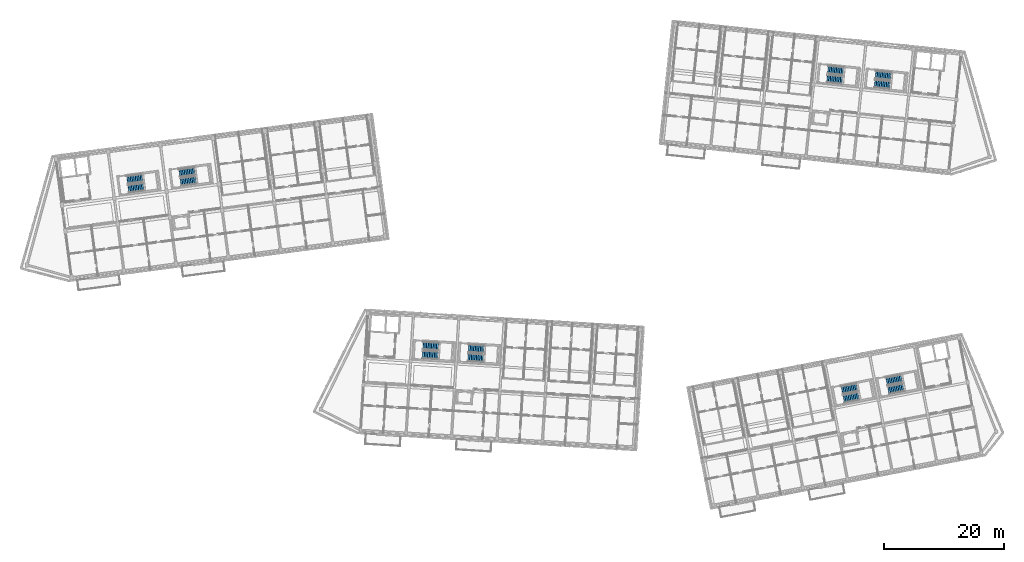
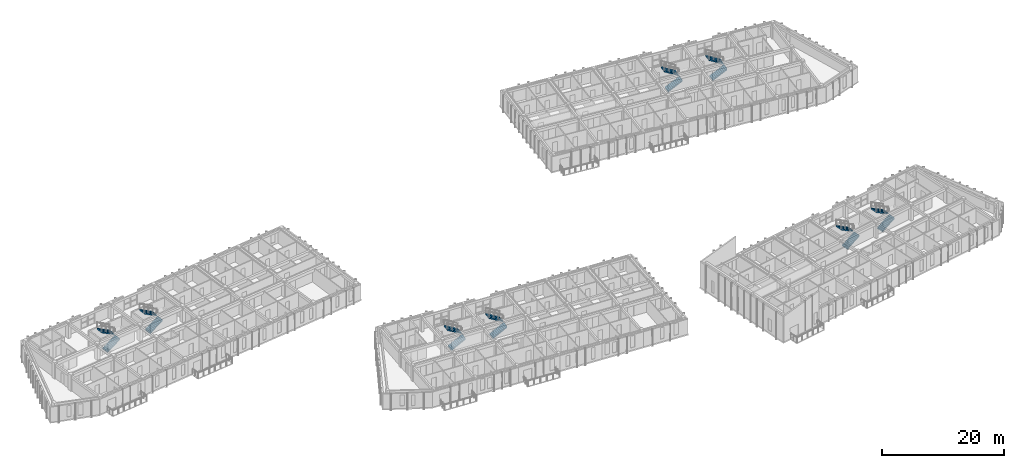
# One storey, part 38 of 65: 16 stair flights, 8 elements without a shape of their own.
"""IFC4 building model written with IfcOpenShell, lengths in metres."""

import ifcopenshell
import ifcopenshell.guid

model = None  # the IFC model being written
_history = None  # IfcOwnerHistory: only IFC2X3 demands one
_inside = {}  # id of a spatial element -> (the spatial element, [elements in it])
_under = {}  # id of a project, library or spatial element -> (it, [spatial elements below it])
_declared = {}  # id of a project -> (the project, [libraries it declares])
_typed = {}  # id of a type object -> (the type object, [elements of that type])
_made_of = {}  # id of a material, layer set ... -> (it, [elements and type objects made of it])


def new_model(schema):
    """Start an empty IFC model of exactly this schema.

    Asked for "IFC4X3", IfcOpenShell would pick the latest addendum, in which some entities
    have other attributes; the version numbers below select the first issue.
    IFC2X3 requires an IfcOwnerHistory on every rooted entity: one is made here for all.
    """
    global model, _history
    if schema == "IFC4X3":
        model = ifcopenshell.file(schema_version=(4, 3, 0, 0))
    else:
        model = ifcopenshell.file(schema=schema)
    _inside.clear()
    _under.clear()
    _declared.clear()
    _typed.clear()
    _made_of.clear()
    _history = None
    if model.schema == "IFC2X3":
        org = make("IfcOrganization", Name="unknown")
        user = make(
            "IfcPersonAndOrganization",
            ThePerson=make("IfcPerson", FamilyName="unknown"),
            TheOrganization=org,
        )
        app = make(
            "IfcApplication",
            ApplicationDeveloper=org,
            Version="unknown",
            ApplicationFullName="unknown",
            ApplicationIdentifier="unknown",
        )
        _history = make(
            "IfcOwnerHistory",
            OwningUser=user,
            OwningApplication=app,
            ChangeAction="ADDED",
            CreationDate=0,
        )
    return model


def make(cls, **values):
    """One entity of the class cls with the attributes given. An attribute that is None is left unset."""
    return model.create_entity(
        cls, **{name: value for name, value in values.items() if value is not None}
    )


def rooted(cls, **values):
    """An entity with a GlobalId (a new one), such as an element, a storey or a relation."""
    return make(cls, GlobalId=ifcopenshell.guid.new(), OwnerHistory=_history, **values)


def si_unit(unit_type, name, prefix=None):
    """IfcSIUnit, for example si_unit("LENGTHUNIT", "METRE", prefix="MILLI")."""
    return make("IfcSIUnit", UnitType=unit_type, Prefix=prefix, Name=name)


def assignment(units):
    """IfcUnitAssignment: the units of a project."""
    return None if units is None else make("IfcUnitAssignment", Units=units)


def point(xyz):
    """IfcCartesianPoint."""
    return None if xyz is None else make("IfcCartesianPoint", Coordinates=xyz)


def direction(xyz):
    """IfcDirection."""
    return None if xyz is None else make("IfcDirection", DirectionRatios=xyz)


def frame(location, z_axis=None, x_axis=None):
    """IfcAxis2Placement3D, a coordinate frame: its origin and axes. An axis left out is left unset."""
    return make(
        "IfcAxis2Placement3D",
        Location=point(location),
        Axis=direction(z_axis),
        RefDirection=direction(x_axis),
    )


def origin():
    """The frame at (0, 0, 0) with its axes left unset."""
    return frame((0.0, 0.0, 0.0))


def place(relative_to, where):
    """IfcLocalPlacement: puts the frame where relative to a parent placement (None: the world)."""
    return make(
        "IfcLocalPlacement", PlacementRelTo=relative_to, RelativePlacement=where
    )


def context(
    kind, dimensions, precision=None, world=None, true_north=None, identifier=None
):
    """IfcGeometricRepresentationContext, for example the 3D "Model" context."""
    return make(
        "IfcGeometricRepresentationContext",
        ContextIdentifier=identifier,
        ContextType=kind,
        CoordinateSpaceDimension=dimensions,
        Precision=precision,
        WorldCoordinateSystem=world,
        TrueNorth=true_north,
    )


def subcontext(parent, identifier, kind, view, scale=None):
    """IfcGeometricRepresentationSubContext, for example "Body" below "Model"."""
    return make(
        "IfcGeometricRepresentationSubContext",
        ContextIdentifier=identifier,
        ContextType=kind,
        ParentContext=parent,
        TargetScale=scale,
        TargetView=view,
    )


def project(units=None, contexts=None):
    """IfcProject with its units and contexts."""
    return rooted(
        "IfcProject",
        Name="project",
        RepresentationContexts=contexts,
        UnitsInContext=assignment(units),
    )


def spatial(cls, under=None, at=None, **own):
    """A site, building, storey or space (cls), placed at a placement, below another one or the project."""
    s = rooted(cls, ObjectPlacement=at, **own)
    if under is not None:
        _under.setdefault(under.id(), (under, []))[1].append(s)
    return s


def polyline(points):
    """IfcPolyline through the points."""
    return make("IfcPolyline", Points=[point(p) for p in points])


def outline(outer, holes=None, kind="AREA"):
    """IfcArbitraryClosedProfileDef: a profile drawn as a closed curve; with holes, ...WithVoids."""
    if holes is None:
        return make("IfcArbitraryClosedProfileDef", ProfileType=kind, OuterCurve=outer)
    return make(
        "IfcArbitraryProfileDefWithVoids",
        ProfileType=kind,
        OuterCurve=outer,
        InnerCurves=holes,
    )


def extrude(swept, where, along, depth):
    """IfcExtrudedAreaSolid: the profile swept, set in the frame where, extruded along a direction by depth."""
    return make(
        "IfcExtrudedAreaSolid",
        SweptArea=swept,
        Position=where,
        ExtrudedDirection=direction(along),
        Depth=depth,
    )


def shape(context_of_items, identifier, shape_type, items):
    """IfcShapeRepresentation: the items that make up one representation, for example the "Body"."""
    return make(
        "IfcShapeRepresentation",
        ContextOfItems=context_of_items,
        RepresentationIdentifier=identifier,
        RepresentationType=shape_type,
        Items=items,
    )


def material(Name=None, Category=None):
    """IfcMaterial."""
    return make("IfcMaterial", Name=Name, Category=Category)


def made_of(thing, what):
    """Note that an element or type object is made of a material, layer set ...; save() writes the relation."""
    if what is not None:
        _made_of.setdefault(what.id(), (what, []))[1].append(thing)
    return thing


def type_object(cls, material=None, **own):
    """A type object (cls), such as IfcWallType, which elements share."""
    return made_of(rooted(cls, **own), material)


def element(
    cls,
    number,
    at=None,
    inside=None,
    cuts=None,
    type_object=None,
    material=None,
    context=None,
    identifier="Body",
    shape_type=None,
    held_by="IfcProductDefinitionShape",
    body=None,
    shapes=None,
    **own,
):
    """One element of the class cls, such as IfcWall. Its Tag is "e" and its number.

    at: its placement. inside: the storey or other place that contains it. cuts: it is an
    opening in that element (IfcRelVoidsElement). A single representation is given by context,
    identifier, shape_type and body (its items); several are given by shapes. held_by: the class
    of the entity that holds the representations. save() writes the other relations.
    """
    e = rooted(cls, Tag="e%d" % number, ObjectPlacement=at, **own)
    if body is not None:
        shapes = [shape(context, identifier, shape_type, body)]
    if shapes is not None:
        e.Representation = make(held_by, Representations=shapes)
    if inside is not None:
        _inside.setdefault(inside.id(), (inside, []))[1].append(e)
    if cuts is not None:
        rooted(
            "IfcRelVoidsElement", RelatingBuildingElement=cuts, RelatedOpeningElement=e
        )
    if type_object is not None:
        _typed.setdefault(type_object.id(), (type_object, []))[1].append(e)
    return made_of(e, material)


def aggregate(whole, parts):
    """IfcRelAggregates: a whole, such as a stair, and the parts it consists of."""
    return rooted("IfcRelAggregates", RelatingObject=whole, RelatedObjects=parts)


def save(model, path):
    """Write the relations noted so far, then the file.

    IfcRelAggregates (storeys below a building ...), IfcRelContainedInSpatialStructure (elements
    in a storey), IfcRelDefinesByType, IfcRelAssociatesMaterial and IfcRelDeclares: one each for
    every whole, place, type object, material and project.
    """
    for whole, parts in _under.values():
        aggregate(whole, parts)
    for where, things in _inside.values():
        rooted(
            "IfcRelContainedInSpatialStructure",
            RelatedElements=things,
            RelatingStructure=where,
        )
    for kind, things in _typed.values():
        rooted("IfcRelDefinesByType", RelatedObjects=things, RelatingType=kind)
    for what, things in _made_of.values():
        rooted("IfcRelAssociatesMaterial", RelatedObjects=things, RelatingMaterial=what)
    for by, libraries in _declared.values():
        rooted("IfcRelDeclares", RelatingContext=by, RelatedDefinitions=libraries)
    model.write(path)


model = new_model("IFC4")

# Units and contexts
model_context = context("Model", 3, precision=1e-05, world=origin(), true_north=direction((0.0, 1.0)))
body_context = subcontext(model_context, "Body", "Model", "MODEL_VIEW")
ifc_project = project(units=[si_unit("LENGTHUNIT", "METRE"), si_unit("AREAUNIT", "SQUARE_METRE"), si_unit("VOLUMEUNIT", "CUBIC_METRE"), si_unit("PLANEANGLEUNIT", "RADIAN"), si_unit("MASSUNIT", "GRAM", prefix="KILO")], contexts=[model_context])

# Site, building, storey
site_placement = place(None, origin())
site = spatial("IfcSite", under=ifc_project, at=site_placement, CompositionType="ELEMENT")
building_placement = place(site_placement, origin())
building = spatial("IfcBuilding", under=site, at=building_placement, Name="Kestramere Prow Commons", CompositionType="ELEMENT")
storey_placement = place(building_placement, frame((0.0, 0.0, 21.39990234375)))
storey = spatial("IfcBuildingStorey", under=building, at=storey_placement, Name="L06", CompositionType="ELEMENT", Elevation=21.39990234375)

# Stair, stair flights
ifc_material = material(Name="Concrete C40/50", Category="concrete")
stair_type = type_object("IfcStairType", Name="ST-DOG-1350", PredefinedType="HALF_TURN_STAIR", material=ifc_material)
stair_1_placement = place(storey_placement, origin())
stair_1 = element("IfcStair", 1, at=stair_1_placement, inside=storey, type_object=stair_type, Name="L06 Block A Exit Stair 1", PredefinedType="HALF_TURN_STAIR")
stair_flight_type = type_object("IfcStairFlightType", Name="SFL-1350", PredefinedType="STRAIGHT", material=ifc_material)
stair_flight_1_placement = place(storey_placement, frame((20.70068359375, 86.79150390625, 0.0), z_axis=(0.0, 0.0, 1.0), x_axis=(0.991444861374, 0.13052619222, 0.0)))
stair_flight_1 = element("IfcStairFlight", 2, at=stair_flight_1_placement, type_object=stair_flight_type, Name="ST-A1 flight 1", NumberOfRisers=10, NumberOfTreads=9, PredefinedType="STRAIGHT", RiserHeight=0.1625, TreadLength=0.28, context=body_context, shape_type="SweptSolid", body=[
    extrude(outline(polyline([(-0.02490234375, 0.0), (0.0, 0.0), (0.0, 0.16259765625), (0.280029296875, 0.16259765625), (0.280029296875, 0.324951171875), (0.56005859375, 0.324951171875), (0.56005859375, 0.487548828125), (0.840087890625, 0.487548828125), (0.840087890625, 0.64990234375), (1.1201171875, 0.64990234375), (1.1201171875, 0.8125), (1.39990234375, 0.8125), (1.39990234375, 0.97509765625), (1.679931640625, 0.97509765625), (1.679931640625, 1.137451171875), (1.9599609375, 1.137451171875), (1.9599609375, 1.300048828125), (2.239990234375, 1.300048828125), (2.239990234375, 1.46240234375), (2.52001953125, 1.46240234375), (2.52001953125, 1.625), (2.544921875, 1.625), (2.544921875, 1.2890625), (0.0, -0.14990234375), (-0.02490234375, -0.14990234375), (-0.02490234375, 0.0)])), frame((0.0, 0.675048828125, 0.0), z_axis=(0.0, -1.0, 0.0), x_axis=(1.0, 0.0, 0.0)), (0.0, 0.0, 1.0), 1.35009765625),
])
stair_flight_2_placement = place(storey_placement, frame((23.003173828125, 88.607666015625, 1.625), z_axis=(0.0, 0.0, 1.0), x_axis=(-0.991444861374, -0.13052619222, 0.0)))
stair_flight_2 = element("IfcStairFlight", 3, at=stair_flight_2_placement, type_object=stair_flight_type, Name="ST-A1 flight 2", NumberOfRisers=10, NumberOfTreads=9, PredefinedType="STRAIGHT", RiserHeight=0.1625, TreadLength=0.28, context=body_context, shape_type="SweptSolid", body=[
    extrude(outline(polyline([(-0.02490234375, 0.0), (0.0, 0.0), (0.0, 0.16259765625), (0.280029296875, 0.16259765625), (0.280029296875, 0.324951171875), (0.56005859375, 0.324951171875), (0.56005859375, 0.487548828125), (0.840087890625, 0.487548828125), (0.840087890625, 0.64990234375), (1.1201171875, 0.64990234375), (1.1201171875, 0.8125), (1.39990234375, 0.8125), (1.39990234375, 0.97509765625), (1.679931640625, 0.97509765625), (1.679931640625, 1.137451171875), (1.9599609375, 1.137451171875), (1.9599609375, 1.300048828125), (2.239990234375, 1.300048828125), (2.239990234375, 1.46240234375), (2.52001953125, 1.46240234375), (2.52001953125, 1.625), (2.544921875, 1.625), (2.544921875, 1.2890625), (0.0, -0.14990234375), (-0.02490234375, -0.14990234375), (-0.02490234375, 0.0)])), frame((0.0, 0.675048828125, 0.0), z_axis=(0.0, -1.0, 0.0), x_axis=(1.0, 0.0, 0.0)), (0.0, 0.0, 1.0), 1.35009765625),
])
aggregate(stair_1, [stair_flight_1, stair_flight_2])

stair_2_placement = place(storey_placement, origin())
stair_2 = element("IfcStair", 4, at=stair_2_placement, inside=storey, type_object=stair_type, Name="L06 Block A Exit Stair 2", PredefinedType="HALF_TURN_STAIR")
stair_flight_3_placement = place(storey_placement, frame((29.42529296875, 87.940185546875, 0.0), z_axis=(0.0, 0.0, 1.0), x_axis=(0.991444861374, 0.13052619222, 0.0)))
stair_flight_3 = element("IfcStairFlight", 5, at=stair_flight_3_placement, type_object=stair_flight_type, Name="ST-A2 flight 1", NumberOfRisers=10, NumberOfTreads=9, PredefinedType="STRAIGHT", RiserHeight=0.1625, TreadLength=0.28, context=body_context, shape_type="SweptSolid", body=[
    extrude(outline(polyline([(-0.02490234375, 0.0), (0.0, 0.0), (0.0, 0.16259765625), (0.280029296875, 0.16259765625), (0.280029296875, 0.324951171875), (0.56005859375, 0.324951171875), (0.56005859375, 0.487548828125), (0.840087890625, 0.487548828125), (0.840087890625, 0.64990234375), (1.1201171875, 0.64990234375), (1.1201171875, 0.8125), (1.39990234375, 0.8125), (1.39990234375, 0.97509765625), (1.679931640625, 0.97509765625), (1.679931640625, 1.137451171875), (1.9599609375, 1.137451171875), (1.9599609375, 1.300048828125), (2.239990234375, 1.300048828125), (2.239990234375, 1.46240234375), (2.52001953125, 1.46240234375), (2.52001953125, 1.625), (2.544921875, 1.625), (2.544921875, 1.2890625), (0.0, -0.14990234375), (-0.02490234375, -0.14990234375), (-0.02490234375, 0.0)])), frame((0.0, 0.675048828125, 0.0), z_axis=(0.0, -1.0, 0.0), x_axis=(1.0, 0.0, 0.0)), (0.0, 0.0, 1.0), 1.35009765625),
])
stair_flight_4_placement = place(storey_placement, frame((31.72802734375, 89.75634765625, 1.625), z_axis=(0.0, 0.0, 1.0), x_axis=(-0.991444861374, -0.13052619222, 0.0)))
stair_flight_4 = element("IfcStairFlight", 6, at=stair_flight_4_placement, type_object=stair_flight_type, Name="ST-A2 flight 2", NumberOfRisers=10, NumberOfTreads=9, PredefinedType="STRAIGHT", RiserHeight=0.1625, TreadLength=0.28, context=body_context, shape_type="SweptSolid", body=[
    extrude(outline(polyline([(-0.02490234375, 0.0), (0.0, 0.0), (0.0, 0.16259765625), (0.280029296875, 0.16259765625), (0.280029296875, 0.324951171875), (0.56005859375, 0.324951171875), (0.56005859375, 0.487548828125), (0.840087890625, 0.487548828125), (0.840087890625, 0.64990234375), (1.1201171875, 0.64990234375), (1.1201171875, 0.8125), (1.39990234375, 0.8125), (1.39990234375, 0.97509765625), (1.679931640625, 0.97509765625), (1.679931640625, 1.137451171875), (1.9599609375, 1.137451171875), (1.9599609375, 1.300048828125), (2.239990234375, 1.300048828125), (2.239990234375, 1.46240234375), (2.52001953125, 1.46240234375), (2.52001953125, 1.625), (2.544921875, 1.625), (2.544921875, 1.2890625), (0.0, -0.14990234375), (-0.02490234375, -0.14990234375), (-0.02490234375, 0.0)])), frame((0.0, 0.675048828125, 0.0), z_axis=(0.0, -1.0, 0.0), x_axis=(1.0, 0.0, 0.0)), (0.0, 0.0, 1.0), 1.35009765625),
])
aggregate(stair_2, [stair_flight_3, stair_flight_4])

stair_3_placement = place(storey_placement, origin())
stair_3 = element("IfcStair", 7, at=stair_3_placement, inside=storey, type_object=stair_type, Name="L06 Block B Exit Stair 1", PredefinedType="HALF_TURN_STAIR")
stair_flight_5_placement = place(storey_placement, frame((137.38916015625, 105.21923828125, 0.0), z_axis=(0.0, 0.0, 1.0), x_axis=(0.994521895368, -0.104528463268, 0.0)))
stair_flight_5 = element("IfcStairFlight", 8, at=stair_flight_5_placement, type_object=stair_flight_type, Name="ST-B1 flight 1", NumberOfRisers=10, NumberOfTreads=9, PredefinedType="STRAIGHT", RiserHeight=0.1625, TreadLength=0.28, context=body_context, shape_type="SweptSolid", body=[
    extrude(outline(polyline([(-0.02490234375, 0.0), (0.0, 0.0), (0.0, 0.16259765625), (0.280029296875, 0.16259765625), (0.280029296875, 0.324951171875), (0.56005859375, 0.324951171875), (0.56005859375, 0.487548828125), (0.840087890625, 0.487548828125), (0.840087890625, 0.64990234375), (1.1201171875, 0.64990234375), (1.1201171875, 0.8125), (1.39990234375, 0.8125), (1.39990234375, 0.97509765625), (1.679931640625, 0.97509765625), (1.679931640625, 1.137451171875), (1.9599609375, 1.137451171875), (1.9599609375, 1.300048828125), (2.239990234375, 1.300048828125), (2.239990234375, 1.46240234375), (2.52001953125, 1.46240234375), (2.52001953125, 1.625), (2.544921875, 1.625), (2.544921875, 1.2890625), (0.0, -0.14990234375), (-0.02490234375, -0.14990234375), (-0.02490234375, 0.0)])), frame((0.0, 0.675048828125, 0.0), z_axis=(0.0, -1.0, 0.0), x_axis=(1.0, 0.0, 0.0)), (0.0, 0.0, 1.0), 1.35009765625),
])
stair_flight_6_placement = place(storey_placement, frame((140.052001953125, 106.447509765625, 1.625), z_axis=(0.0, 0.0, 1.0), x_axis=(-0.994521895368, 0.104528463268, 0.0)))
stair_flight_6 = element("IfcStairFlight", 9, at=stair_flight_6_placement, type_object=stair_flight_type, Name="ST-B1 flight 2", NumberOfRisers=10, NumberOfTreads=9, PredefinedType="STRAIGHT", RiserHeight=0.1625, TreadLength=0.28, context=body_context, shape_type="SweptSolid", body=[
    extrude(outline(polyline([(-0.02490234375, 0.0), (0.0, 0.0), (0.0, 0.16259765625), (0.280029296875, 0.16259765625), (0.280029296875, 0.324951171875), (0.56005859375, 0.324951171875), (0.56005859375, 0.487548828125), (0.840087890625, 0.487548828125), (0.840087890625, 0.64990234375), (1.1201171875, 0.64990234375), (1.1201171875, 0.8125), (1.39990234375, 0.8125), (1.39990234375, 0.97509765625), (1.679931640625, 0.97509765625), (1.679931640625, 1.137451171875), (1.9599609375, 1.137451171875), (1.9599609375, 1.300048828125), (2.239990234375, 1.300048828125), (2.239990234375, 1.46240234375), (2.52001953125, 1.46240234375), (2.52001953125, 1.625), (2.544921875, 1.625), (2.544921875, 1.2890625), (0.0, -0.14990234375), (-0.02490234375, -0.14990234375), (-0.02490234375, 0.0)])), frame((0.0, 0.675048828125, 0.0), z_axis=(0.0, -1.0, 0.0), x_axis=(1.0, 0.0, 0.0)), (0.0, 0.0, 1.0), 1.35009765625),
])
aggregate(stair_3, [stair_flight_5, stair_flight_6])

stair_4_placement = place(storey_placement, origin())
stair_4 = element("IfcStair", 10, at=stair_4_placement, inside=storey, type_object=stair_type, Name="L06 Block B Exit Stair 2", PredefinedType="HALF_TURN_STAIR")
stair_flight_7_placement = place(storey_placement, frame((145.34521484375, 104.3828125, 0.0), z_axis=(0.0, 0.0, 1.0), x_axis=(0.994521895368, -0.104528463268, 0.0)))
stair_flight_7 = element("IfcStairFlight", 11, at=stair_flight_7_placement, type_object=stair_flight_type, Name="ST-B2 flight 1", NumberOfRisers=10, NumberOfTreads=9, PredefinedType="STRAIGHT", RiserHeight=0.1625, TreadLength=0.28, context=body_context, shape_type="SweptSolid", body=[
    extrude(outline(polyline([(-0.02490234375, 0.0), (0.0, 0.0), (0.0, 0.16259765625), (0.280029296875, 0.16259765625), (0.280029296875, 0.324951171875), (0.56005859375, 0.324951171875), (0.56005859375, 0.487548828125), (0.840087890625, 0.487548828125), (0.840087890625, 0.64990234375), (1.1201171875, 0.64990234375), (1.1201171875, 0.8125), (1.39990234375, 0.8125), (1.39990234375, 0.97509765625), (1.679931640625, 0.97509765625), (1.679931640625, 1.137451171875), (1.9599609375, 1.137451171875), (1.9599609375, 1.300048828125), (2.239990234375, 1.300048828125), (2.239990234375, 1.46240234375), (2.52001953125, 1.46240234375), (2.52001953125, 1.625), (2.544921875, 1.625), (2.544921875, 1.2890625), (0.0, -0.14990234375), (-0.02490234375, -0.14990234375), (-0.02490234375, 0.0)])), frame((0.0, 0.675048828125, 0.0), z_axis=(0.0, -1.0, 0.0), x_axis=(1.0, 0.0, 0.0)), (0.0, 0.0, 1.0), 1.35009765625),
])
stair_flight_8_placement = place(storey_placement, frame((148.00830078125, 105.611328125, 1.625), z_axis=(0.0, 0.0, 1.0), x_axis=(-0.994521895368, 0.104528463268, 0.0)))
stair_flight_8 = element("IfcStairFlight", 12, at=stair_flight_8_placement, type_object=stair_flight_type, Name="ST-B2 flight 2", NumberOfRisers=10, NumberOfTreads=9, PredefinedType="STRAIGHT", RiserHeight=0.1625, TreadLength=0.28, context=body_context, shape_type="SweptSolid", body=[
    extrude(outline(polyline([(-0.02490234375, 0.0), (0.0, 0.0), (0.0, 0.16259765625), (0.280029296875, 0.16259765625), (0.280029296875, 0.324951171875), (0.56005859375, 0.324951171875), (0.56005859375, 0.487548828125), (0.840087890625, 0.487548828125), (0.840087890625, 0.64990234375), (1.1201171875, 0.64990234375), (1.1201171875, 0.8125), (1.39990234375, 0.8125), (1.39990234375, 0.97509765625), (1.679931640625, 0.97509765625), (1.679931640625, 1.137451171875), (1.9599609375, 1.137451171875), (1.9599609375, 1.300048828125), (2.239990234375, 1.300048828125), (2.239990234375, 1.46240234375), (2.52001953125, 1.46240234375), (2.52001953125, 1.625), (2.544921875, 1.625), (2.544921875, 1.2890625), (0.0, -0.14990234375), (-0.02490234375, -0.14990234375), (-0.02490234375, 0.0)])), frame((0.0, 0.675048828125, 0.0), z_axis=(0.0, -1.0, 0.0), x_axis=(1.0, 0.0, 0.0)), (0.0, 0.0, 1.0), 1.35009765625),
])
aggregate(stair_4, [stair_flight_7, stair_flight_8])

stair_5_placement = place(storey_placement, origin())
stair_5 = element("IfcStair", 13, at=stair_5_placement, inside=storey, type_object=stair_type, Name="L06 Block C Exit Stair 1", PredefinedType="HALF_TURN_STAIR")
stair_flight_9_placement = place(storey_placement, frame((69.839599609375, 59.117431640625, 0.0), z_axis=(0.0, 0.0, 1.0), x_axis=(0.998134798422, -0.061048539535, 0.0)))
stair_flight_9 = element("IfcStairFlight", 14, at=stair_flight_9_placement, type_object=stair_flight_type, Name="ST-C1 flight 1", NumberOfRisers=10, NumberOfTreads=9, PredefinedType="STRAIGHT", RiserHeight=0.1625, TreadLength=0.28, context=body_context, shape_type="SweptSolid", body=[
    extrude(outline(polyline([(-0.02490234375, 0.0), (0.0, 0.0), (0.0, 0.16259765625), (0.280029296875, 0.16259765625), (0.280029296875, 0.324951171875), (0.56005859375, 0.324951171875), (0.56005859375, 0.487548828125), (0.840087890625, 0.487548828125), (0.840087890625, 0.64990234375), (1.1201171875, 0.64990234375), (1.1201171875, 0.8125), (1.39990234375, 0.8125), (1.39990234375, 0.97509765625), (1.679931640625, 0.97509765625), (1.679931640625, 1.137451171875), (1.9599609375, 1.137451171875), (1.9599609375, 1.300048828125), (2.239990234375, 1.300048828125), (2.239990234375, 1.46240234375), (2.52001953125, 1.46240234375), (2.52001953125, 1.625), (2.544921875, 1.625), (2.544921875, 1.2890625), (0.0, -0.14990234375), (-0.02490234375, -0.14990234375), (-0.02490234375, 0.0)])), frame((0.0, 0.675048828125, 0.0), z_axis=(0.0, -1.0, 0.0), x_axis=(1.0, 0.0, 0.0)), (0.0, 0.0, 1.0), 1.35009765625),
])
stair_flight_10_placement = place(storey_placement, frame((72.446533203125, 60.460693359375, 1.625), z_axis=(0.0, 0.0, 1.0), x_axis=(-0.998134798422, 0.061048539535, 0.0)))
stair_flight_10 = element("IfcStairFlight", 15, at=stair_flight_10_placement, type_object=stair_flight_type, Name="ST-C1 flight 2", NumberOfRisers=10, NumberOfTreads=9, PredefinedType="STRAIGHT", RiserHeight=0.1625, TreadLength=0.28, context=body_context, shape_type="SweptSolid", body=[
    extrude(outline(polyline([(-0.02490234375, 0.0), (0.0, 0.0), (0.0, 0.16259765625), (0.280029296875, 0.16259765625), (0.280029296875, 0.324951171875), (0.56005859375, 0.324951171875), (0.56005859375, 0.487548828125), (0.840087890625, 0.487548828125), (0.840087890625, 0.64990234375), (1.1201171875, 0.64990234375), (1.1201171875, 0.8125), (1.39990234375, 0.8125), (1.39990234375, 0.97509765625), (1.679931640625, 0.97509765625), (1.679931640625, 1.137451171875), (1.9599609375, 1.137451171875), (1.9599609375, 1.300048828125), (2.239990234375, 1.300048828125), (2.239990234375, 1.46240234375), (2.52001953125, 1.46240234375), (2.52001953125, 1.625), (2.544921875, 1.625), (2.544921875, 1.2890625), (0.0, -0.14990234375), (-0.02490234375, -0.14990234375), (-0.02490234375, 0.0)])), frame((0.0, 0.675048828125, 0.0), z_axis=(0.0, -1.0, 0.0), x_axis=(1.0, 0.0, 0.0)), (0.0, 0.0, 1.0), 1.35009765625),
])
aggregate(stair_5, [stair_flight_9, stair_flight_10])

stair_6_placement = place(storey_placement, origin())
stair_6 = element("IfcStair", 16, at=stair_6_placement, inside=storey, type_object=stair_type, Name="L06 Block C Exit Stair 2", PredefinedType="HALF_TURN_STAIR")
stair_flight_11_placement = place(storey_placement, frame((77.42529296875, 58.6533203125, 0.0), z_axis=(0.0, 0.0, 1.0), x_axis=(0.998134798422, -0.061048539535, 0.0)))
stair_flight_11 = element("IfcStairFlight", 17, at=stair_flight_11_placement, type_object=stair_flight_type, Name="ST-C2 flight 1", NumberOfRisers=10, NumberOfTreads=9, PredefinedType="STRAIGHT", RiserHeight=0.1625, TreadLength=0.28, context=body_context, shape_type="SweptSolid", body=[
    extrude(outline(polyline([(-0.02490234375, 0.0), (0.0, 0.0), (0.0, 0.16259765625), (0.280029296875, 0.16259765625), (0.280029296875, 0.324951171875), (0.56005859375, 0.324951171875), (0.56005859375, 0.487548828125), (0.840087890625, 0.487548828125), (0.840087890625, 0.64990234375), (1.1201171875, 0.64990234375), (1.1201171875, 0.8125), (1.39990234375, 0.8125), (1.39990234375, 0.97509765625), (1.679931640625, 0.97509765625), (1.679931640625, 1.137451171875), (1.9599609375, 1.137451171875), (1.9599609375, 1.300048828125), (2.239990234375, 1.300048828125), (2.239990234375, 1.46240234375), (2.52001953125, 1.46240234375), (2.52001953125, 1.625), (2.544921875, 1.625), (2.544921875, 1.2890625), (0.0, -0.14990234375), (-0.02490234375, -0.14990234375), (-0.02490234375, 0.0)])), frame((0.0, 0.675048828125, 0.0), z_axis=(0.0, -1.0, 0.0), x_axis=(1.0, 0.0, 0.0)), (0.0, 0.0, 1.0), 1.35009765625),
])
stair_flight_12_placement = place(storey_placement, frame((80.0322265625, 59.996826171875, 1.625), z_axis=(0.0, 0.0, 1.0), x_axis=(-0.998134798422, 0.061048539535, 0.0)))
stair_flight_12 = element("IfcStairFlight", 18, at=stair_flight_12_placement, type_object=stair_flight_type, Name="ST-C2 flight 2", NumberOfRisers=10, NumberOfTreads=9, PredefinedType="STRAIGHT", RiserHeight=0.1625, TreadLength=0.28, context=body_context, shape_type="SweptSolid", body=[
    extrude(outline(polyline([(-0.02490234375, 0.0), (0.0, 0.0), (0.0, 0.16259765625), (0.280029296875, 0.16259765625), (0.280029296875, 0.324951171875), (0.56005859375, 0.324951171875), (0.56005859375, 0.487548828125), (0.840087890625, 0.487548828125), (0.840087890625, 0.64990234375), (1.1201171875, 0.64990234375), (1.1201171875, 0.8125), (1.39990234375, 0.8125), (1.39990234375, 0.97509765625), (1.679931640625, 0.97509765625), (1.679931640625, 1.137451171875), (1.9599609375, 1.137451171875), (1.9599609375, 1.300048828125), (2.239990234375, 1.300048828125), (2.239990234375, 1.46240234375), (2.52001953125, 1.46240234375), (2.52001953125, 1.625), (2.544921875, 1.625), (2.544921875, 1.2890625), (0.0, -0.14990234375), (-0.02490234375, -0.14990234375), (-0.02490234375, 0.0)])), frame((0.0, 0.675048828125, 0.0), z_axis=(0.0, -1.0, 0.0), x_axis=(1.0, 0.0, 0.0)), (0.0, 0.0, 1.0), 1.35009765625),
])
aggregate(stair_6, [stair_flight_11, stair_flight_12])

stair_7_placement = place(storey_placement, origin())
stair_7 = element("IfcStair", 19, at=stair_7_placement, inside=storey, type_object=stair_type, Name="L06 Block D Exit Stair 1", PredefinedType="HALF_TURN_STAIR")
stair_flight_13_placement = place(storey_placement, frame((140.171875, 51.70458984375, 0.0), z_axis=(0.0, 0.0, 1.0), x_axis=(0.981627183448, 0.190808995377, 0.0)))
stair_flight_13 = element("IfcStairFlight", 20, at=stair_flight_13_placement, type_object=stair_flight_type, Name="ST-D1 flight 1", NumberOfRisers=10, NumberOfTreads=9, PredefinedType="STRAIGHT", RiserHeight=0.1625, TreadLength=0.28, context=body_context, shape_type="SweptSolid", body=[
    extrude(outline(polyline([(-0.02490234375, 0.0), (0.0, 0.0), (0.0, 0.16259765625), (0.280029296875, 0.16259765625), (0.280029296875, 0.324951171875), (0.56005859375, 0.324951171875), (0.56005859375, 0.487548828125), (0.840087890625, 0.487548828125), (0.840087890625, 0.64990234375), (1.1201171875, 0.64990234375), (1.1201171875, 0.8125), (1.39990234375, 0.8125), (1.39990234375, 0.97509765625), (1.679931640625, 0.97509765625), (1.679931640625, 1.137451171875), (1.9599609375, 1.137451171875), (1.9599609375, 1.300048828125), (2.239990234375, 1.300048828125), (2.239990234375, 1.46240234375), (2.52001953125, 1.46240234375), (2.52001953125, 1.625), (2.544921875, 1.625), (2.544921875, 1.2890625), (0.0, -0.14990234375), (-0.02490234375, -0.14990234375), (-0.02490234375, 0.0)])), frame((0.0, 0.675048828125, 0.0), z_axis=(0.0, -1.0, 0.0), x_axis=(1.0, 0.0, 0.0)), (0.0, 0.0, 1.0), 1.35009765625),
])
stair_flight_14_placement = place(storey_placement, frame((142.359375, 53.65771484375, 1.625), z_axis=(0.0, 0.0, 1.0), x_axis=(-0.981627183448, -0.190808995377, 0.0)))
stair_flight_14 = element("IfcStairFlight", 21, at=stair_flight_14_placement, type_object=stair_flight_type, Name="ST-D1 flight 2", NumberOfRisers=10, NumberOfTreads=9, PredefinedType="STRAIGHT", RiserHeight=0.1625, TreadLength=0.28, context=body_context, shape_type="SweptSolid", body=[
    extrude(outline(polyline([(-0.02490234375, 0.0), (0.0, 0.0), (0.0, 0.16259765625), (0.280029296875, 0.16259765625), (0.280029296875, 0.324951171875), (0.56005859375, 0.324951171875), (0.56005859375, 0.487548828125), (0.840087890625, 0.487548828125), (0.840087890625, 0.64990234375), (1.1201171875, 0.64990234375), (1.1201171875, 0.8125), (1.39990234375, 0.8125), (1.39990234375, 0.97509765625), (1.679931640625, 0.97509765625), (1.679931640625, 1.137451171875), (1.9599609375, 1.137451171875), (1.9599609375, 1.300048828125), (2.239990234375, 1.300048828125), (2.239990234375, 1.46240234375), (2.52001953125, 1.46240234375), (2.52001953125, 1.625), (2.544921875, 1.625), (2.544921875, 1.2890625), (0.0, -0.14990234375), (-0.02490234375, -0.14990234375), (-0.02490234375, 0.0)])), frame((0.0, 0.675048828125, 0.0), z_axis=(0.0, -1.0, 0.0), x_axis=(1.0, 0.0, 0.0)), (0.0, 0.0, 1.0), 1.35009765625),
])
aggregate(stair_7, [stair_flight_13, stair_flight_14])

stair_8_placement = place(storey_placement, origin())
stair_8 = element("IfcStair", 22, at=stair_8_placement, inside=storey, type_object=stair_type, Name="L06 Block D Exit Stair 2", PredefinedType="HALF_TURN_STAIR")
stair_flight_15_placement = place(storey_placement, frame((147.632080078125, 53.15478515625, 0.0), z_axis=(0.0, 0.0, 1.0), x_axis=(0.981627183448, 0.190808995377, 0.0)))
stair_flight_15 = element("IfcStairFlight", 23, at=stair_flight_15_placement, type_object=stair_flight_type, Name="ST-D2 flight 1", NumberOfRisers=10, NumberOfTreads=9, PredefinedType="STRAIGHT", RiserHeight=0.1625, TreadLength=0.28, context=body_context, shape_type="SweptSolid", body=[
    extrude(outline(polyline([(-0.02490234375, 0.0), (0.0, 0.0), (0.0, 0.16259765625), (0.280029296875, 0.16259765625), (0.280029296875, 0.324951171875), (0.56005859375, 0.324951171875), (0.56005859375, 0.487548828125), (0.840087890625, 0.487548828125), (0.840087890625, 0.64990234375), (1.1201171875, 0.64990234375), (1.1201171875, 0.8125), (1.39990234375, 0.8125), (1.39990234375, 0.97509765625), (1.679931640625, 0.97509765625), (1.679931640625, 1.137451171875), (1.9599609375, 1.137451171875), (1.9599609375, 1.300048828125), (2.239990234375, 1.300048828125), (2.239990234375, 1.46240234375), (2.52001953125, 1.46240234375), (2.52001953125, 1.625), (2.544921875, 1.625), (2.544921875, 1.2890625), (0.0, -0.14990234375), (-0.02490234375, -0.14990234375), (-0.02490234375, 0.0)])), frame((0.0, 0.675048828125, 0.0), z_axis=(0.0, -1.0, 0.0), x_axis=(1.0, 0.0, 0.0)), (0.0, 0.0, 1.0), 1.35009765625),
])
stair_flight_16_placement = place(storey_placement, frame((149.819580078125, 55.10791015625, 1.625), z_axis=(0.0, 0.0, 1.0), x_axis=(-0.981627183448, -0.190808995377, 0.0)))
stair_flight_16 = element("IfcStairFlight", 24, at=stair_flight_16_placement, type_object=stair_flight_type, Name="ST-D2 flight 2", NumberOfRisers=10, NumberOfTreads=9, PredefinedType="STRAIGHT", RiserHeight=0.1625, TreadLength=0.28, context=body_context, shape_type="SweptSolid", body=[
    extrude(outline(polyline([(-0.02490234375, 0.0), (0.0, 0.0), (0.0, 0.16259765625), (0.280029296875, 0.16259765625), (0.280029296875, 0.324951171875), (0.56005859375, 0.324951171875), (0.56005859375, 0.487548828125), (0.840087890625, 0.487548828125), (0.840087890625, 0.64990234375), (1.1201171875, 0.64990234375), (1.1201171875, 0.8125), (1.39990234375, 0.8125), (1.39990234375, 0.97509765625), (1.679931640625, 0.97509765625), (1.679931640625, 1.137451171875), (1.9599609375, 1.137451171875), (1.9599609375, 1.300048828125), (2.239990234375, 1.300048828125), (2.239990234375, 1.46240234375), (2.52001953125, 1.46240234375), (2.52001953125, 1.625), (2.544921875, 1.625), (2.544921875, 1.2890625), (0.0, -0.14990234375), (-0.02490234375, -0.14990234375), (-0.02490234375, 0.0)])), frame((0.0, 0.675048828125, 0.0), z_axis=(0.0, -1.0, 0.0), x_axis=(1.0, 0.0, 0.0)), (0.0, 0.0, 1.0), 1.35009765625),
])
aggregate(stair_8, [stair_flight_15, stair_flight_16])

save(model, "model.ifc")
